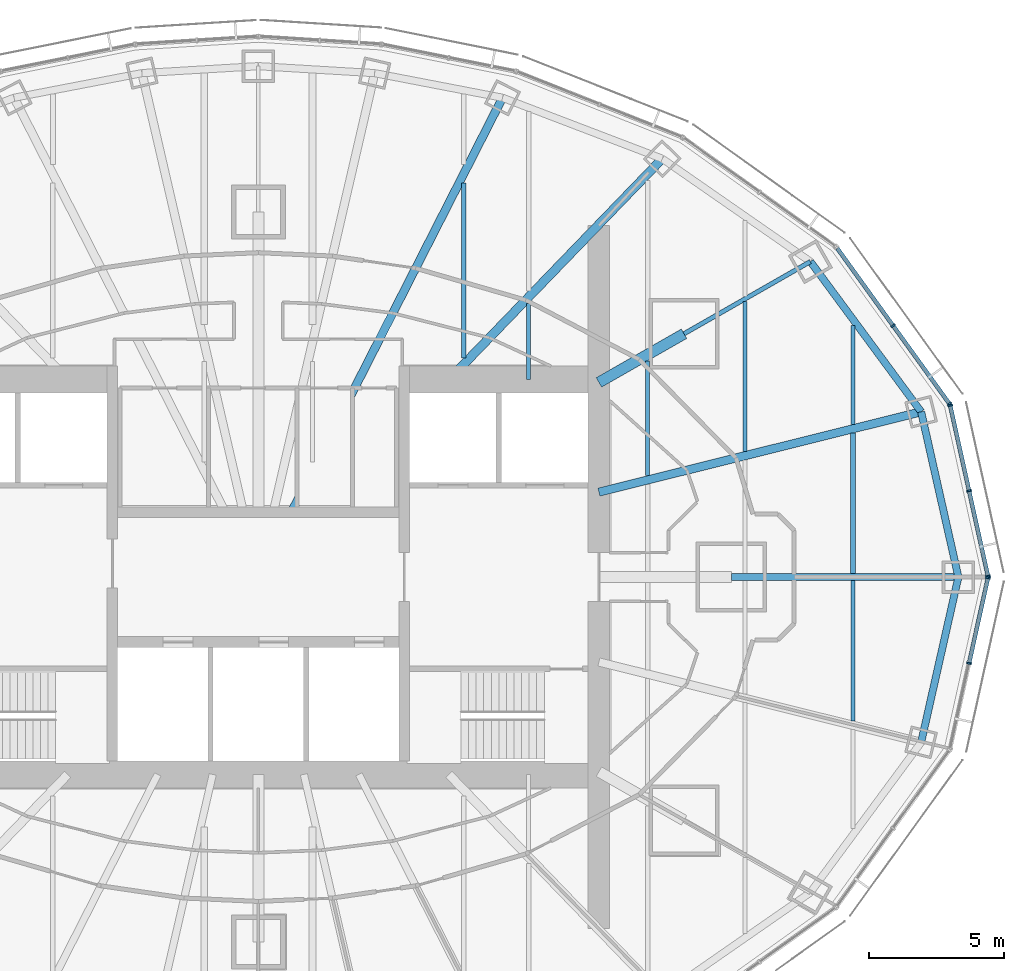
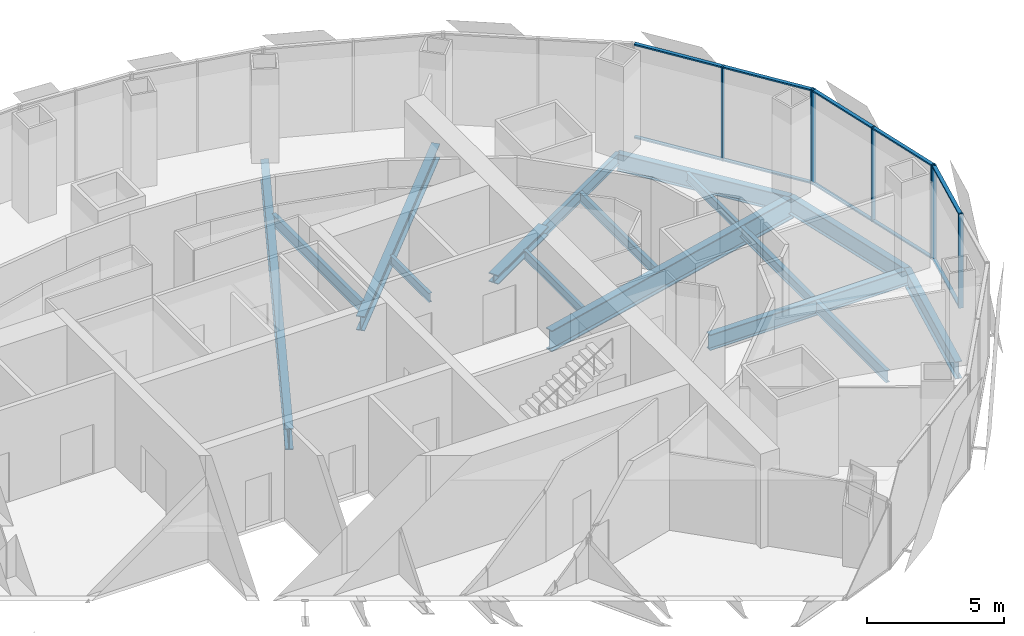
# One storey, part 7 of 17: 17 members, 16 beams, 3 elements without a shape of their own.
"""IFC4 building model written with IfcOpenShell, lengths in metres."""

import ifcopenshell
import ifcopenshell.guid

model = None  # the IFC model being written
_history = None  # IfcOwnerHistory: only IFC2X3 demands one
_inside = {}  # id of a spatial element -> (the spatial element, [elements in it])
_under = {}  # id of a project, library or spatial element -> (it, [spatial elements below it])
_declared = {}  # id of a project -> (the project, [libraries it declares])
_typed = {}  # id of a type object -> (the type object, [elements of that type])
_made_of = {}  # id of a material, layer set ... -> (it, [elements and type objects made of it])


def new_model(schema):
    """Start an empty IFC model of exactly this schema.

    Asked for "IFC4X3", IfcOpenShell would pick the latest addendum, in which some entities
    have other attributes; the version numbers below select the first issue.
    IFC2X3 requires an IfcOwnerHistory on every rooted entity: one is made here for all.
    """
    global model, _history
    if schema == "IFC4X3":
        model = ifcopenshell.file(schema_version=(4, 3, 0, 0))
    else:
        model = ifcopenshell.file(schema=schema)
    _inside.clear()
    _under.clear()
    _declared.clear()
    _typed.clear()
    _made_of.clear()
    _history = None
    if model.schema == "IFC2X3":
        org = make("IfcOrganization", Name="unknown")
        user = make(
            "IfcPersonAndOrganization",
            ThePerson=make("IfcPerson", FamilyName="unknown"),
            TheOrganization=org,
        )
        app = make(
            "IfcApplication",
            ApplicationDeveloper=org,
            Version="unknown",
            ApplicationFullName="unknown",
            ApplicationIdentifier="unknown",
        )
        _history = make(
            "IfcOwnerHistory",
            OwningUser=user,
            OwningApplication=app,
            ChangeAction="ADDED",
            CreationDate=0,
        )
    return model


def make(cls, **values):
    """One entity of the class cls with the attributes given. An attribute that is None is left unset."""
    return model.create_entity(
        cls, **{name: value for name, value in values.items() if value is not None}
    )


def rooted(cls, **values):
    """An entity with a GlobalId (a new one), such as an element, a storey or a relation."""
    return make(cls, GlobalId=ifcopenshell.guid.new(), OwnerHistory=_history, **values)


def si_unit(unit_type, name, prefix=None):
    """IfcSIUnit, for example si_unit("LENGTHUNIT", "METRE", prefix="MILLI")."""
    return make("IfcSIUnit", UnitType=unit_type, Prefix=prefix, Name=name)


def assignment(units):
    """IfcUnitAssignment: the units of a project."""
    return None if units is None else make("IfcUnitAssignment", Units=units)


def point(xyz):
    """IfcCartesianPoint."""
    return None if xyz is None else make("IfcCartesianPoint", Coordinates=xyz)


def direction(xyz):
    """IfcDirection."""
    return None if xyz is None else make("IfcDirection", DirectionRatios=xyz)


def frame(location, z_axis=None, x_axis=None):
    """IfcAxis2Placement3D, a coordinate frame: its origin and axes. An axis left out is left unset."""
    return make(
        "IfcAxis2Placement3D",
        Location=point(location),
        Axis=direction(z_axis),
        RefDirection=direction(x_axis),
    )


def frame_2d(location, x_axis=None):
    """IfcAxis2Placement2D, a coordinate frame in the plane: its origin and x axis."""
    return make(
        "IfcAxis2Placement2D", Location=point(location), RefDirection=direction(x_axis)
    )


def origin():
    """The frame at (0, 0, 0) with its axes left unset."""
    return frame((0.0, 0.0, 0.0))


def origin_2d():
    """The frame at (0, 0) in the plane with its x axis left unset."""
    return frame_2d((0.0, 0.0))


def place(relative_to, where):
    """IfcLocalPlacement: puts the frame where relative to a parent placement (None: the world)."""
    return make(
        "IfcLocalPlacement", PlacementRelTo=relative_to, RelativePlacement=where
    )


def context(
    kind, dimensions, precision=None, world=None, true_north=None, identifier=None
):
    """IfcGeometricRepresentationContext, for example the 3D "Model" context."""
    return make(
        "IfcGeometricRepresentationContext",
        ContextIdentifier=identifier,
        ContextType=kind,
        CoordinateSpaceDimension=dimensions,
        Precision=precision,
        WorldCoordinateSystem=world,
        TrueNorth=true_north,
    )


def subcontext(parent, identifier, kind, view, scale=None):
    """IfcGeometricRepresentationSubContext, for example "Body" below "Model"."""
    return make(
        "IfcGeometricRepresentationSubContext",
        ContextIdentifier=identifier,
        ContextType=kind,
        ParentContext=parent,
        TargetScale=scale,
        TargetView=view,
    )


def project(units=None, contexts=None):
    """IfcProject with its units and contexts."""
    return rooted(
        "IfcProject",
        Name="project",
        RepresentationContexts=contexts,
        UnitsInContext=assignment(units),
    )


def spatial(cls, under=None, at=None, **own):
    """A site, building, storey or space (cls), placed at a placement, below another one or the project."""
    s = rooted(cls, ObjectPlacement=at, **own)
    if under is not None:
        _under.setdefault(under.id(), (under, []))[1].append(s)
    return s


def profile(cls, at=None, kind="AREA", **sizes):
    """A parametric profile (cls). Its sizes go by their IFC names, for example OverallWidth=200.0."""
    return make(cls, ProfileType=kind, Position=at, **sizes)


def rectangle(**sizes):
    """IfcRectangleProfileDef."""
    return profile("IfcRectangleProfileDef", **sizes)


def i_section(**sizes):
    """IfcIShapeProfileDef."""
    return profile("IfcIShapeProfileDef", **sizes)


def extrude(swept, where, along, depth):
    """IfcExtrudedAreaSolid: the profile swept, set in the frame where, extruded along a direction by depth."""
    return make(
        "IfcExtrudedAreaSolid",
        SweptArea=swept,
        Position=where,
        ExtrudedDirection=direction(along),
        Depth=depth,
    )


def shape(context_of_items, identifier, shape_type, items):
    """IfcShapeRepresentation: the items that make up one representation, for example the "Body"."""
    return make(
        "IfcShapeRepresentation",
        ContextOfItems=context_of_items,
        RepresentationIdentifier=identifier,
        RepresentationType=shape_type,
        Items=items,
    )


def material(Name=None, Category=None):
    """IfcMaterial."""
    return make("IfcMaterial", Name=Name, Category=Category)


def material_profile(
    of_material, cross_section, Name=None, Category=None, Priority=None
):
    """IfcMaterialProfile: a cross section and its material."""
    return make(
        "IfcMaterialProfile",
        Name=Name,
        Material=of_material,
        Profile=cross_section,
        Priority=Priority,
        Category=Category,
    )


def profile_set(profiles, Name=None, composite=None):
    """IfcMaterialProfileSet."""
    return make(
        "IfcMaterialProfileSet",
        Name=Name,
        MaterialProfiles=profiles,
        CompositeProfile=composite,
    )


def made_of(thing, what):
    """Note that an element or type object is made of a material, layer set ...; save() writes the relation."""
    if what is not None:
        _made_of.setdefault(what.id(), (what, []))[1].append(thing)
    return thing


def type_object(cls, material=None, **own):
    """A type object (cls), such as IfcWallType, which elements share."""
    return made_of(rooted(cls, **own), material)


def element(
    cls,
    number,
    at=None,
    inside=None,
    cuts=None,
    type_object=None,
    material=None,
    context=None,
    identifier="Body",
    shape_type=None,
    held_by="IfcProductDefinitionShape",
    body=None,
    shapes=None,
    **own,
):
    """One element of the class cls, such as IfcWall. Its Tag is "e" and its number.

    at: its placement. inside: the storey or other place that contains it. cuts: it is an
    opening in that element (IfcRelVoidsElement). A single representation is given by context,
    identifier, shape_type and body (its items); several are given by shapes. held_by: the class
    of the entity that holds the representations. save() writes the other relations.
    """
    e = rooted(cls, Tag="e%d" % number, ObjectPlacement=at, **own)
    if body is not None:
        shapes = [shape(context, identifier, shape_type, body)]
    if shapes is not None:
        e.Representation = make(held_by, Representations=shapes)
    if inside is not None:
        _inside.setdefault(inside.id(), (inside, []))[1].append(e)
    if cuts is not None:
        rooted(
            "IfcRelVoidsElement", RelatingBuildingElement=cuts, RelatedOpeningElement=e
        )
    if type_object is not None:
        _typed.setdefault(type_object.id(), (type_object, []))[1].append(e)
    return made_of(e, material)


def aggregate(whole, parts):
    """IfcRelAggregates: a whole, such as a stair, and the parts it consists of."""
    return rooted("IfcRelAggregates", RelatingObject=whole, RelatedObjects=parts)


def save(model, path):
    """Write the relations noted so far, then the file.

    IfcRelAggregates (storeys below a building ...), IfcRelContainedInSpatialStructure (elements
    in a storey), IfcRelDefinesByType, IfcRelAssociatesMaterial and IfcRelDeclares: one each for
    every whole, place, type object, material and project.
    """
    for whole, parts in _under.values():
        aggregate(whole, parts)
    for where, things in _inside.values():
        rooted(
            "IfcRelContainedInSpatialStructure",
            RelatedElements=things,
            RelatingStructure=where,
        )
    for kind, things in _typed.values():
        rooted("IfcRelDefinesByType", RelatedObjects=things, RelatingType=kind)
    for what, things in _made_of.values():
        rooted("IfcRelAssociatesMaterial", RelatedObjects=things, RelatingMaterial=what)
    for by, libraries in _declared.values():
        rooted("IfcRelDeclares", RelatingContext=by, RelatedDefinitions=libraries)
    model.write(path)


model = new_model("IFC4")

# Units and contexts
model_context = context("Model", 3, precision=1e-05, world=origin(), true_north=direction((0.0, 1.0)))
body_context = subcontext(model_context, "Body", "Model", "MODEL_VIEW")
ifc_project = project(units=[si_unit("LENGTHUNIT", "METRE"), si_unit("AREAUNIT", "SQUARE_METRE"), si_unit("VOLUMEUNIT", "CUBIC_METRE"), si_unit("PLANEANGLEUNIT", "RADIAN"), si_unit("MASSUNIT", "GRAM", prefix="KILO")], contexts=[model_context])

# Site, building, storey
site_placement = place(None, origin())
site = spatial("IfcSite", under=ifc_project, at=site_placement, CompositionType="ELEMENT")
building_placement = place(site_placement, origin())
building = spatial("IfcBuilding", under=site, at=building_placement, Name="Lantaw Convention Tower", CompositionType="ELEMENT")
storey_placement = place(building_placement, frame((0.0, 0.0, 224.199951171875)))
storey = spatial("IfcBuildingStorey", under=building, at=storey_placement, Name="L52", CompositionType="ELEMENT", Elevation=224.199951171875)

# Beams
ifc_material_1 = material(Name="Steel ASTM A992", Category="steel")
ifc_material_profile_1 = material_profile(ifc_material_1, i_section(OverallWidth=0.2666015625, OverallDepth=0.76953125, WebThickness=0.015625, FlangeThickness=0.025390625, FilletRadius=0.0126953125, at=origin_2d()), Name="W30X132")
ifc_profile_set_1 = profile_set([ifc_material_profile_1], Name="Steel ASTM A992")
beam_type_1 = type_object("IfcBeamType", Name="Beam E W30X132", PredefinedType="SPANDREL", material=ifc_profile_set_1)
beam_1_placement = place(storey_placement, frame((25.89990234375, 0.0, -0.53466796875), z_axis=(-0.219857926596, 0.97553190215, 0.0), x_axis=(-0.97553190215, -0.219857926596, 0.0)))
element("IfcBeam", 1, at=beam_1_placement, inside=storey, type_object=beam_type_1, Name="Edge beam 1", PredefinedType="SPANDREL", context=body_context, shape_type="SweptSolid", body=[
    extrude(i_section(OverallWidth=0.2666015625, OverallDepth=0.76953125, WebThickness=0.015625, FlangeThickness=0.025390625, FilletRadius=0.0126953125, at=origin_2d()), origin(), (0.0, 0.0, 1.0), 6.267333984375),
])
beam_2_placement = place(storey_placement, frame((24.52197265625, 6.114013671875, -0.53466796875), z_axis=(-0.593639188853, 0.804731329984, 0.0), x_axis=(-0.804731329984, -0.593639188853, 0.0)))
element("IfcBeam", 2, at=beam_2_placement, inside=storey, type_object=beam_type_1, Name="Edge beam 2", PredefinedType="SPANDREL", context=body_context, shape_type="SweptSolid", body=[
    extrude(i_section(OverallWidth=0.2666015625, OverallDepth=0.76953125, WebThickness=0.015625, FlangeThickness=0.025390625, FilletRadius=0.0126953125, at=origin_2d()), origin(), (0.0, 0.0, 1.0), 6.904541015625),
])
beam_3_placement = place(storey_placement, frame((24.52197265625, -6.114013671875, -0.53466796875), z_axis=(0.219857926596, 0.97553190215, 0.0), x_axis=(-0.97553190215, 0.219857926596, 0.0)))
element("IfcBeam", 3, at=beam_3_placement, inside=storey, type_object=beam_type_1, Name="Edge beam 24", PredefinedType="SPANDREL", context=body_context, shape_type="SweptSolid", body=[
    extrude(i_section(OverallWidth=0.2666015625, OverallDepth=0.76953125, WebThickness=0.015625, FlangeThickness=0.025390625, FilletRadius=0.0126953125, at=origin_2d()), origin(), (0.0, 0.0, 1.0), 6.267333984375),
])
ifc_material_profile_2 = material_profile(ifc_material_1, i_section(OverallWidth=0.1650390625, OverallDepth=0.52587890625, WebThickness=0.0087890625, FlangeThickness=0.011474609375, FilletRadius=0.0126953125, at=origin_2d()), Name="W21X44")
ifc_profile_set_2 = profile_set([ifc_material_profile_2], Name="Steel ASTM A992")
beam_type_2 = type_object("IfcBeamType", Name="Beam G W21X44", PredefinedType="BEAM", material=ifc_profile_set_2)
beam_4_placement = place(storey_placement, frame((15.75, 9.0, -0.412841796875), z_axis=(0.868237559289, 0.496148708192, 0.0), x_axis=(-0.496148708192, 0.868237559289, 0.0)))
element("IfcBeam", 4, at=beam_4_placement, inside=storey, type_object=beam_type_2, Name="Floor girder on ray 3", PredefinedType="BEAM", context=body_context, shape_type="SweptSolid", body=[
    extrude(i_section(OverallWidth=0.1650390625, OverallDepth=0.52587890625, WebThickness=0.0087890625, FlangeThickness=0.011474609375, FilletRadius=0.0126953125, at=origin_2d()), origin(), (0.0, 0.0, 1.0), 5.38232421875),
])
ifc_material_profile_3 = material_profile(ifc_material_1, i_section(OverallWidth=0.32763671875, OverallDepth=0.64013671875, WebThickness=0.01904296875, FlangeThickness=0.033935546875, FilletRadius=0.0126953125, at=origin_2d()), Name="W24X176")
ifc_profile_set_3 = profile_set([ifc_material_profile_3], Name="Steel ASTM A992")
beam_type_3 = type_object("IfcBeamType", Name="Beam G W24X176", PredefinedType="BEAM", material=ifc_profile_set_3)
beam_5_placement = place(storey_placement, frame((7.049560546875, 7.300048828125, -0.469970703125), z_axis=(0.694657766726, 0.719340383356, 0.0), x_axis=(-0.719340383356, 0.694657766726, 0.0)))
element("IfcBeam", 5, at=beam_5_placement, inside=storey, type_object=beam_type_3, Name="Floor girder on ray 4", PredefinedType="BEAM", context=body_context, shape_type="SweptSolid", body=[
    extrude(i_section(OverallWidth=0.32763671875, OverallDepth=0.64013671875, WebThickness=0.01904296875, FlangeThickness=0.033935546875, FilletRadius=0.0126953125, at=origin_2d()), origin(), (0.0, 0.0, 1.0), 11.364990234375),
])
ifc_material_profile_4 = material_profile(ifc_material_1, i_section(OverallWidth=0.25390625, OverallDepth=0.700927734375, WebThickness=0.015380859375, FlangeThickness=0.02783203125, FilletRadius=0.01513671875, at=origin_2d()), Name="W27X129")
ifc_profile_set_4 = profile_set([ifc_material_profile_4], Name="Steel ASTM A992")
beam_type_4 = type_object("IfcBeamType", Name="Beam G W27X129", PredefinedType="BEAM", material=ifc_profile_set_4)
beam_6_placement = place(storey_placement, frame((17.5, 0.0, -0.50048828125), z_axis=(1.0, 0.0, 0.0), x_axis=(0.0, 1.0, 0.0)))
element("IfcBeam", 6, at=beam_6_placement, inside=storey, type_object=beam_type_4, Name="Floor girder on ray 1", PredefinedType="BEAM", context=body_context, shape_type="SweptSolid", body=[
    extrude(i_section(OverallWidth=0.25390625, OverallDepth=0.700927734375, WebThickness=0.015380859375, FlangeThickness=0.02783203125, FilletRadius=0.01513671875, at=origin_2d()), origin(), (0.0, 0.0, 1.0), 8.39990234375),
])
ifc_material_profile_5 = material_profile(ifc_material_1, i_section(OverallWidth=0.307373046875, OverallDepth=0.9423828125, WebThickness=0.022216796875, FlangeThickness=0.039794921875, FilletRadius=0.0126953125, at=origin_2d()), Name="W36X232")
ifc_profile_set_5 = profile_set([ifc_material_profile_5], Name="Steel ASTM A992")
beam_type_5 = type_object("IfcBeamType", Name="Beam G W36X232", PredefinedType="BEAM", material=ifc_profile_set_5)
beam_7_placement = place(storey_placement, frame((12.60009765625, 3.1416015625, -0.62109375), z_axis=(0.970296589314, 0.241918434119, 0.0), x_axis=(-0.241918434119, 0.970296589314, 0.0)))
element("IfcBeam", 7, at=beam_7_placement, inside=storey, type_object=beam_type_5, Name="Floor girder on ray 2", PredefinedType="BEAM", context=body_context, shape_type="SweptSolid", body=[
    extrude(i_section(OverallWidth=0.307373046875, OverallDepth=0.9423828125, WebThickness=0.022216796875, FlangeThickness=0.039794921875, FilletRadius=0.0126953125, at=origin_2d()), origin(), (0.0, 0.0, 1.0), 12.286865234375),
])
beam_8_placement = place(storey_placement, frame((1.222900390625, 2.39990234375, -0.62109375), z_axis=(0.453988481463, 0.891007552549, 0.0), x_axis=(-0.891007552549, 0.453988481463, 0.0)))
element("IfcBeam", 8, at=beam_8_placement, inside=storey, type_object=beam_type_5, Name="Floor girder on ray 5", PredefinedType="BEAM", context=body_context, shape_type="SweptSolid", body=[
    extrude(i_section(OverallWidth=0.307373046875, OverallDepth=0.9423828125, WebThickness=0.022216796875, FlangeThickness=0.039794921875, FilletRadius=0.0126953125, at=origin_2d()), origin(), (0.0, 0.0, 1.0), 17.20703125),
])
ifc_material_profile_6 = material_profile(ifc_material_1, i_section(OverallWidth=0.40380859375, OverallDepth=0.406494140625, WebThickness=0.027099609375, FlangeThickness=0.043701171875, FilletRadius=0.01513671875, at=origin_2d()), Name="W14X233")
ifc_profile_set_6 = profile_set([ifc_material_profile_6], Name="Steel ASTM A992")
beam_type_6 = type_object("IfcBeamType", Name="Beam GM W14X233", PredefinedType="BEAM", material=ifc_profile_set_6)
beam_9_placement = place(storey_placement, frame((12.60009765625, 7.199951171875, -0.353271484375), z_axis=(0.868230718294, 0.496160679428, 0.0), x_axis=(-0.496160679428, 0.868230718294, 0.0)))
element("IfcBeam", 9, at=beam_9_placement, inside=storey, type_object=beam_type_6, Name="Core link beam on ray 3", PredefinedType="BEAM", context=body_context, shape_type="SweptSolid", body=[
    extrude(i_section(OverallWidth=0.40380859375, OverallDepth=0.406494140625, WebThickness=0.027099609375, FlangeThickness=0.043701171875, FilletRadius=0.01513671875, at=origin_2d()), origin(), (0.0, 0.0, 1.0), 3.6279296875),
])
ifc_material_profile_7 = material_profile(ifc_material_1, i_section(OverallWidth=0.140380859375, OverallDepth=0.40380859375, WebThickness=0.007080078125, FlangeThickness=0.01123046875, FilletRadius=0.01025390625, at=origin_2d()), Name="W16X31")
ifc_profile_set_7 = profile_set([ifc_material_profile_7], Name="Steel ASTM A992")
beam_type_7 = type_object("IfcBeamType", Name="Beam J W16X31", PredefinedType="JOIST", material=ifc_profile_set_7)
beam_10_placement = place(storey_placement, frame((10.0, 7.300048828125, -0.351806640625), z_axis=(0.0, 1.0, 0.0), x_axis=(-1.0, 0.0, 0.0)))
element("IfcBeam", 10, at=beam_10_placement, inside=storey, type_object=beam_type_7, Name="Floor joist", PredefinedType="JOIST", context=body_context, shape_type="SweptSolid", body=[
    extrude(i_section(OverallWidth=0.140380859375, OverallDepth=0.40380859375, WebThickness=0.007080078125, FlangeThickness=0.01123046875, FilletRadius=0.01025390625, at=origin_2d()), origin(), (0.0, 0.0, 1.0), 2.8193359375),
])
beam_11_placement = place(storey_placement, frame((14.39990234375, 3.748779296875, -0.351806640625), z_axis=(0.0, 1.0, 0.0), x_axis=(-1.0, 0.0, 0.0)))
element("IfcBeam", 11, at=beam_11_placement, inside=storey, type_object=beam_type_7, Name="Floor joist", PredefinedType="JOIST", context=body_context, shape_type="SweptSolid", body=[
    extrude(i_section(OverallWidth=0.140380859375, OverallDepth=0.40380859375, WebThickness=0.007080078125, FlangeThickness=0.01123046875, FilletRadius=0.01025390625, at=origin_2d()), origin(), (0.0, 0.0, 1.0), 4.247314453125),
])
beam_12_placement = place(storey_placement, frame((22.0, 5.6435546875, -0.351806640625), z_axis=(0.0, 1.0, 0.0), x_axis=(-1.0, 0.0, 0.0)))
element("IfcBeam", 12, at=beam_12_placement, inside=storey, type_object=beam_type_7, Name="Floor joist", PredefinedType="JOIST", context=body_context, shape_type="SweptSolid", body=[
    extrude(i_section(OverallWidth=0.140380859375, OverallDepth=0.40380859375, WebThickness=0.007080078125, FlangeThickness=0.01123046875, FilletRadius=0.01025390625, at=origin_2d()), origin(), (0.0, 0.0, 1.0), 3.66455078125),
])
ifc_material_profile_8 = material_profile(ifc_material_1, i_section(OverallWidth=0.15234375, OverallDepth=0.449462890625, WebThickness=0.007568359375, FlangeThickness=0.0107421875, FilletRadius=0.01025390625, at=origin_2d()), Name="W18X35")
ifc_profile_set_8 = profile_set([ifc_material_profile_8], Name="Steel ASTM A992")
beam_type_8 = type_object("IfcBeamType", Name="Beam J W18X35", PredefinedType="JOIST", material=ifc_profile_set_8)
beam_13_placement = place(storey_placement, frame((18.0, 4.646240234375, -0.374755859375), z_axis=(0.0, 1.0, 0.0), x_axis=(-1.0, 0.0, 0.0)))
element("IfcBeam", 13, at=beam_13_placement, inside=storey, type_object=beam_type_8, Name="Floor joist", PredefinedType="JOIST", context=body_context, shape_type="SweptSolid", body=[
    extrude(i_section(OverallWidth=0.15234375, OverallDepth=0.449462890625, WebThickness=0.007568359375, FlangeThickness=0.0107421875, FilletRadius=0.01025390625, at=origin_2d()), origin(), (0.0, 0.0, 1.0), 5.54443359375),
])
ifc_material_profile_9 = material_profile(ifc_material_1, i_section(OverallWidth=0.1904296875, OverallDepth=0.457275390625, WebThickness=0.009033203125, FlangeThickness=0.014404296875, FilletRadius=0.01025390625, at=origin_2d()), Name="W18X50")
ifc_profile_set_9 = profile_set([ifc_material_profile_9], Name="Steel ASTM A992")
beam_type_9 = type_object("IfcBeamType", Name="Beam J W18X50", PredefinedType="JOIST", material=ifc_profile_set_9)
beam_14_placement = place(storey_placement, frame((22.0, 0.126953125, -0.378662109375), z_axis=(0.0, 1.0, 0.0), x_axis=(-1.0, 0.0, 0.0)))
element("IfcBeam", 14, at=beam_14_placement, inside=storey, type_object=beam_type_9, Name="Floor joist", PredefinedType="JOIST", context=body_context, shape_type="SweptSolid", body=[
    extrude(i_section(OverallWidth=0.1904296875, OverallDepth=0.457275390625, WebThickness=0.009033203125, FlangeThickness=0.014404296875, FilletRadius=0.01025390625, at=origin_2d()), origin(), (0.0, 0.0, 1.0), 5.199951171875),
])
ifc_material_profile_10 = material_profile(ifc_material_1, i_section(OverallWidth=0.1650390625, OverallDepth=0.52587890625, WebThickness=0.0087890625, FlangeThickness=0.011474609375, FilletRadius=0.0126953125, at=origin_2d()), Name="W21X44")
ifc_profile_set_10 = profile_set([ifc_material_profile_10], Name="Steel ASTM A992")
beam_type_10 = type_object("IfcBeamType", Name="Beam J W21X44", PredefinedType="JOIST", material=ifc_profile_set_10)
beam_15_placement = place(storey_placement, frame((7.60009765625, 8.10595703125, -0.412841796875), z_axis=(0.0, 1.0, 0.0), x_axis=(-1.0, 0.0, 0.0)))
element("IfcBeam", 15, at=beam_15_placement, inside=storey, type_object=beam_type_10, Name="Floor joist", PredefinedType="JOIST", context=body_context, shape_type="SweptSolid", body=[
    extrude(i_section(OverallWidth=0.1650390625, OverallDepth=0.52587890625, WebThickness=0.0087890625, FlangeThickness=0.011474609375, FilletRadius=0.0126953125, at=origin_2d()), origin(), (0.0, 0.0, 1.0), 6.471435546875),
])
beam_16_placement = place(storey_placement, frame((22.0, -5.326904296875, -0.412841796875), z_axis=(0.0, 1.0, 0.0), x_axis=(-1.0, 0.0, 0.0)))
element("IfcBeam", 16, at=beam_16_placement, inside=storey, type_object=beam_type_10, Name="Floor joist", PredefinedType="JOIST", context=body_context, shape_type="SweptSolid", body=[
    extrude(i_section(OverallWidth=0.1650390625, OverallDepth=0.52587890625, WebThickness=0.0087890625, FlangeThickness=0.011474609375, FilletRadius=0.0126953125, at=origin_2d()), origin(), (0.0, 0.0, 1.0), 5.199951171875),
])

# Curtain wall, members
ifc_material_2 = material(Name="Aluminium framed curtain wall", Category="aluminium")
curtain_wall_type = type_object("IfcCurtainWallType", Name="Office curtain wall high rise, pale aluminium", PredefinedType="USERDEFINED", material=ifc_material_2)
curtain_wall_1_placement = place(storey_placement, origin())
curtain_wall_1 = element("IfcCurtainWall", 17, at=curtain_wall_1_placement, inside=storey, type_object=curtain_wall_type, Name="Office curtain wall high rise, pale aluminium L52", ObjectType="UNITISED CURTAIN WALL", PredefinedType="USERDEFINED")
ifc_material_3 = material(Name="Aluminium 6063-T6", Category="aluminium")
ifc_material_profile_11 = material_profile(ifc_material_3, rectangle(XDim=0.179931640625, YDim=0.06494140625, at=origin_2d()), Name="CW-O2 mullion 65x180")
ifc_profile_set_11 = profile_set([ifc_material_profile_11], Name="Aluminium 6063-T6")
member_type_1 = type_object("IfcMemberType", Name="CW-O2 mullion 65x180", PredefinedType="MULLION", material=ifc_profile_set_11)
member_1_placement = place(storey_placement, frame((26.992919921875, 0.03173828125, -0.14990234375), z_axis=(0.0, 0.0, 1.0), x_axis=(-0.976417396437, -0.215891333626, 0.0)))
member_1 = element("IfcMember", 18, at=member_1_placement, type_object=member_type_1, Name="CW-O2 mullion 1", PredefinedType="MULLION", context=body_context, shape_type="SweptSolid", body=[
    extrude(rectangle(XDim=0.179931640625, YDim=0.06494140625, at=origin_2d()), origin(), (0.0, 0.0, 1.0), 4.199951171875),
])
member_2_placement = place(storey_placement, frame((26.294677734375, 3.190185546875, -0.14990234375), z_axis=(0.0, 0.0, 1.0), x_axis=(-0.976417396437, -0.215891333626, 0.0)))
member_2 = element("IfcMember", 19, at=member_2_placement, type_object=member_type_1, Name="CW-O2 mullion 2", PredefinedType="MULLION", context=body_context, shape_type="SweptSolid", body=[
    extrude(rectangle(XDim=0.179931640625, YDim=0.06494140625, at=origin_2d()), origin(), (0.0, 0.0, 1.0), 4.199951171875),
])
member_3_placement = place(storey_placement, frame((25.596435546875, 6.348388671875, -0.14990234375), z_axis=(0.0, 0.0, 1.0), x_axis=(-0.976417396437, -0.215891333626, 0.0)))
member_3 = element("IfcMember", 20, at=member_3_placement, type_object=member_type_1, Name="CW-O2 mullion 3", PredefinedType="MULLION", context=body_context, shape_type="SweptSolid", body=[
    extrude(rectangle(XDim=0.179931640625, YDim=0.06494140625, at=origin_2d()), origin(), (0.0, 0.0, 1.0), 4.199951171875),
])

curtain_wall_2_placement = place(storey_placement, origin())
curtain_wall_2 = element("IfcCurtainWall", 21, at=curtain_wall_2_placement, inside=storey, type_object=curtain_wall_type, Name="Office curtain wall high rise, pale aluminium L52", ObjectType="UNITISED CURTAIN WALL", PredefinedType="USERDEFINED")
member_4_placement = place(storey_placement, frame((25.5703125, 6.406494140625, -0.14990234375), z_axis=(0.0, 0.0, 1.0), x_axis=(-0.810919559405, -0.585157643865, 0.0)))
member_4 = element("IfcMember", 22, at=member_4_placement, type_object=member_type_1, Name="CW-O2 mullion 1", PredefinedType="MULLION", context=body_context, shape_type="SweptSolid", body=[
    extrude(rectangle(XDim=0.179931640625, YDim=0.06494140625, at=origin_2d()), origin(), (0.0, 0.0, 1.0), 4.199951171875),
])
member_5_placement = place(storey_placement, frame((23.483642578125, 9.298095703125, -0.14990234375), z_axis=(0.0, 0.0, 1.0), x_axis=(-0.810919559405, -0.585157643865, 0.0)))
member_5 = element("IfcMember", 23, at=member_5_placement, type_object=member_type_1, Name="CW-O2 mullion 2", PredefinedType="MULLION", context=body_context, shape_type="SweptSolid", body=[
    extrude(rectangle(XDim=0.179931640625, YDim=0.06494140625, at=origin_2d()), origin(), (0.0, 0.0, 1.0), 4.199951171875),
])

curtain_wall_3_placement = place(storey_placement, origin())
curtain_wall_3 = element("IfcCurtainWall", 24, at=curtain_wall_3_placement, inside=storey, type_object=curtain_wall_type, Name="Office curtain wall high rise, pale aluminium L52", ObjectType="UNITISED CURTAIN WALL", PredefinedType="USERDEFINED")
member_6_placement = place(storey_placement, frame((26.294677734375, -3.190185546875, -0.14990234375), z_axis=(0.0, 0.0, 1.0), x_axis=(-0.976417396437, 0.215891333626, 0.0)))
member_6 = element("IfcMember", 25, at=member_6_placement, type_object=member_type_1, Name="CW-O2 mullion 2", PredefinedType="MULLION", context=body_context, shape_type="SweptSolid", body=[
    extrude(rectangle(XDim=0.179931640625, YDim=0.06494140625, at=origin_2d()), origin(), (0.0, 0.0, 1.0), 4.199951171875),
])
member_7_placement = place(storey_placement, frame((26.992919921875, -0.03173828125, -0.14990234375), z_axis=(0.0, 0.0, 1.0), x_axis=(-0.976417396437, 0.215891333626, 0.0)))
member_7 = element("IfcMember", 26, at=member_7_placement, type_object=member_type_1, Name="CW-O2 mullion 3", PredefinedType="MULLION", context=body_context, shape_type="SweptSolid", body=[
    extrude(rectangle(XDim=0.179931640625, YDim=0.06494140625, at=origin_2d()), origin(), (0.0, 0.0, 1.0), 4.199951171875),
])

# Member
ifc_material_profile_12 = material_profile(ifc_material_3, rectangle(XDim=0.14990234375, YDim=0.06494140625, at=origin_2d()), Name="CW-O2 transom 65x150")
ifc_profile_set_12 = profile_set([ifc_material_profile_12], Name="Aluminium 6063-T6")
member_type_2 = type_object("IfcMemberType", Name="CW-O2 transom 65x150", PredefinedType="USERDEFINED", material=ifc_profile_set_12)
member_8_placement = place(storey_placement, frame((26.986083984375, 0.0634765625, -0.117431640625), z_axis=(-0.215894607042, 0.976416672661, 0.0), x_axis=(-0.976416672661, -0.215894607042, 0.0)))
member_8 = element("IfcMember", 27, at=member_8_placement, type_object=member_type_2, Name="CW-O2 transom 1.1", ObjectType="TRANSOM", PredefinedType="USERDEFINED", context=body_context, shape_type="SweptSolid", body=[
    extrude(rectangle(XDim=0.14990234375, YDim=0.06494140625, at=origin_2d()), origin(), (0.0, 0.0, 1.0), 3.169677734375),
])

member_9_placement = place(storey_placement, frame((26.986083984375, 0.0634765625, 4.017578125), z_axis=(-0.215894607042, 0.976416672661, 0.0), x_axis=(-0.976416672661, -0.215894607042, 0.0)))
member_9 = element("IfcMember", 28, at=member_9_placement, type_object=member_type_2, Name="CW-O2 transom 1.2", ObjectType="TRANSOM", PredefinedType="USERDEFINED", context=body_context, shape_type="SweptSolid", body=[
    extrude(rectangle(XDim=0.14990234375, YDim=0.06494140625, at=origin_2d()), origin(), (0.0, 0.0, 1.0), 3.169677734375),
])

member_10_placement = place(storey_placement, frame((26.28759765625, 3.2216796875, -0.117431640625), z_axis=(-0.215894607042, 0.976416672661, 0.0), x_axis=(-0.976416672661, -0.215894607042, 0.0)))
member_10 = element("IfcMember", 29, at=member_10_placement, type_object=member_type_2, Name="CW-O2 transom 2.1", ObjectType="TRANSOM", PredefinedType="USERDEFINED", context=body_context, shape_type="SweptSolid", body=[
    extrude(rectangle(XDim=0.14990234375, YDim=0.06494140625, at=origin_2d()), origin(), (0.0, 0.0, 1.0), 3.169677734375),
])

member_11_placement = place(storey_placement, frame((26.28759765625, 3.2216796875, 4.017578125), z_axis=(-0.215894607042, 0.976416672661, 0.0), x_axis=(-0.976416672661, -0.215894607042, 0.0)))
member_11 = element("IfcMember", 30, at=member_11_placement, type_object=member_type_2, Name="CW-O2 transom 2.2", ObjectType="TRANSOM", PredefinedType="USERDEFINED", context=body_context, shape_type="SweptSolid", body=[
    extrude(rectangle(XDim=0.14990234375, YDim=0.06494140625, at=origin_2d()), origin(), (0.0, 0.0, 1.0), 3.169677734375),
])

aggregate(curtain_wall_1, [member_1, member_2, member_3, member_8, member_9, member_10, member_11])

member_12_placement = place(storey_placement, frame((25.55126953125, 6.432861328125, -0.117431640625), z_axis=(-0.585169685931, 0.810910869743, 0.0), x_axis=(-0.810910869743, -0.585169685931, 0.0)))
member_12 = element("IfcMember", 31, at=member_12_placement, type_object=member_type_2, Name="CW-O2 transom 1.1", ObjectType="TRANSOM", PredefinedType="USERDEFINED", context=body_context, shape_type="SweptSolid", body=[
    extrude(rectangle(XDim=0.14990234375, YDim=0.06494140625, at=origin_2d()), origin(), (0.0, 0.0, 1.0), 3.500732421875),
])

member_13_placement = place(storey_placement, frame((25.55126953125, 6.432861328125, 4.017578125), z_axis=(-0.585169685931, 0.810910869743, 0.0), x_axis=(-0.810910869743, -0.585169685931, 0.0)))
member_13 = element("IfcMember", 32, at=member_13_placement, type_object=member_type_2, Name="CW-O2 transom 1.2", ObjectType="TRANSOM", PredefinedType="USERDEFINED", context=body_context, shape_type="SweptSolid", body=[
    extrude(rectangle(XDim=0.14990234375, YDim=0.06494140625, at=origin_2d()), origin(), (0.0, 0.0, 1.0), 3.500732421875),
])

member_14_placement = place(storey_placement, frame((23.464599609375, 9.324462890625, -0.117431640625), z_axis=(-0.585123825205, 0.810943961798, 0.0), x_axis=(-0.810943961798, -0.585123825205, 0.0)))
member_14 = element("IfcMember", 33, at=member_14_placement, type_object=member_type_2, Name="CW-O2 transom 2.1", ObjectType="TRANSOM", PredefinedType="USERDEFINED", context=body_context, shape_type="SweptSolid", body=[
    extrude(rectangle(XDim=0.14990234375, YDim=0.06494140625, at=origin_2d()), origin(), (0.0, 0.0, 1.0), 3.500732421875),
])

member_15_placement = place(storey_placement, frame((23.464599609375, 9.324462890625, 4.017578125), z_axis=(-0.585123825205, 0.810943961798, 0.0), x_axis=(-0.810943961798, -0.585123825205, 0.0)))
member_15 = element("IfcMember", 34, at=member_15_placement, type_object=member_type_2, Name="CW-O2 transom 2.2", ObjectType="TRANSOM", PredefinedType="USERDEFINED", context=body_context, shape_type="SweptSolid", body=[
    extrude(rectangle(XDim=0.14990234375, YDim=0.06494140625, at=origin_2d()), origin(), (0.0, 0.0, 1.0), 3.500732421875),
])

aggregate(curtain_wall_2, [member_4, member_5, member_12, member_13, member_14, member_15])

member_16_placement = place(storey_placement, frame((26.3017578125, -3.158447265625, -0.117431640625), z_axis=(0.215894607042, 0.976416672661, 0.0), x_axis=(-0.976416672661, 0.215894607042, 0.0)))
member_16 = element("IfcMember", 35, at=member_16_placement, type_object=member_type_2, Name="CW-O2 transom 2.1", ObjectType="TRANSOM", PredefinedType="USERDEFINED", context=body_context, shape_type="SweptSolid", body=[
    extrude(rectangle(XDim=0.14990234375, YDim=0.06494140625, at=origin_2d()), origin(), (0.0, 0.0, 1.0), 3.169677734375),
])

member_17_placement = place(storey_placement, frame((26.3017578125, -3.158447265625, 4.017578125), z_axis=(0.215894607042, 0.976416672661, 0.0), x_axis=(-0.976416672661, 0.215894607042, 0.0)))
member_17 = element("IfcMember", 36, at=member_17_placement, type_object=member_type_2, Name="CW-O2 transom 2.2", ObjectType="TRANSOM", PredefinedType="USERDEFINED", context=body_context, shape_type="SweptSolid", body=[
    extrude(rectangle(XDim=0.14990234375, YDim=0.06494140625, at=origin_2d()), origin(), (0.0, 0.0, 1.0), 3.169677734375),
])

aggregate(curtain_wall_3, [member_6, member_7, member_16, member_17])

save(model, "model.ifc")
